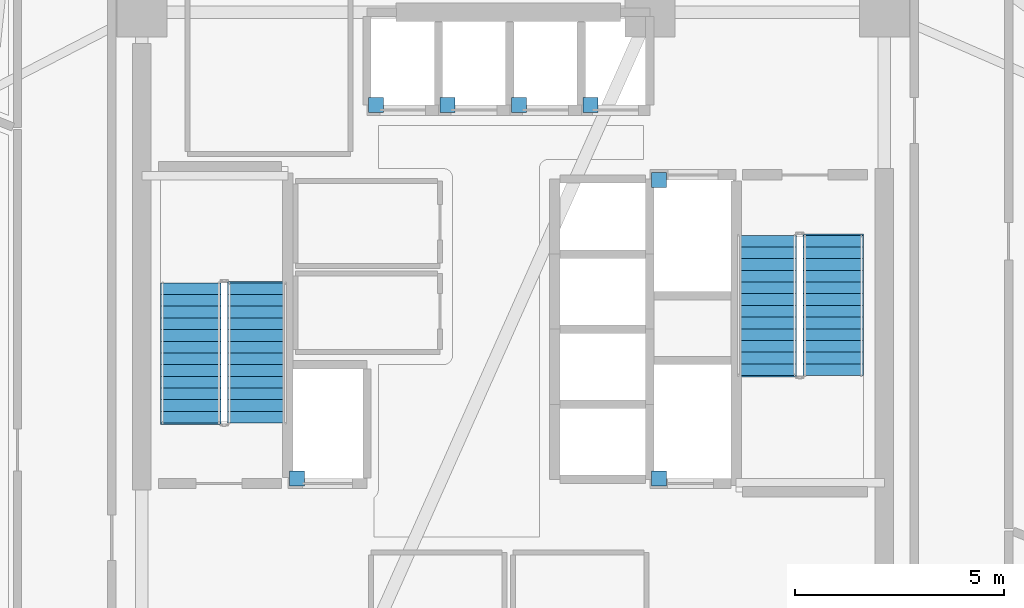
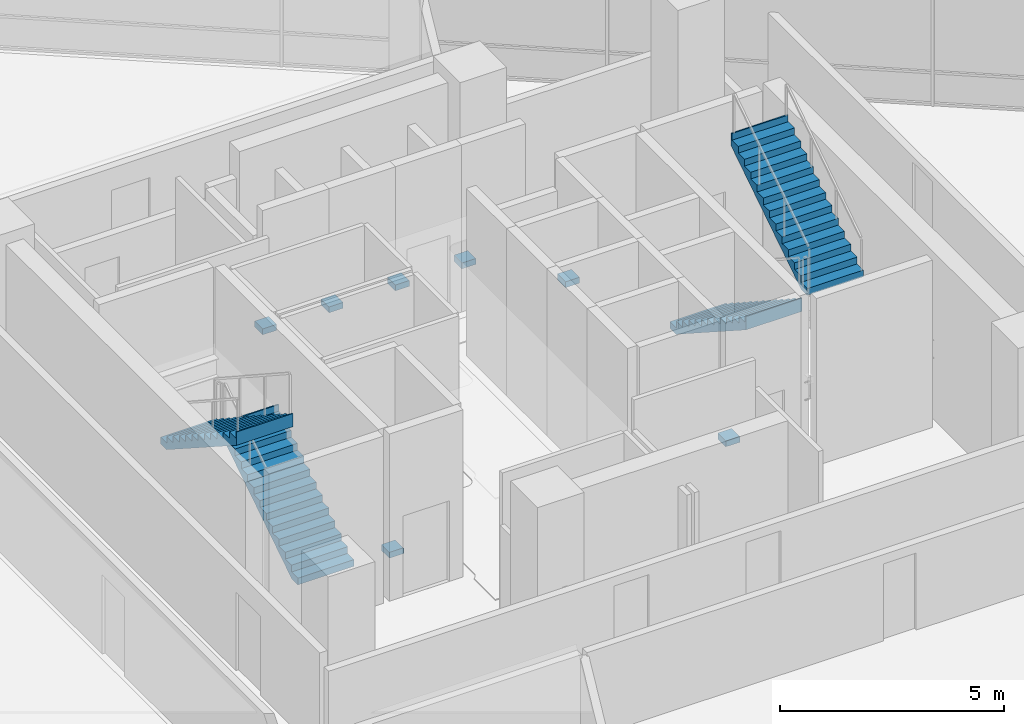
# One storey, part 13 of 18: 7 discrete accessories, 4 stair flights, 2 elements without a shape of their own.
"""IFC4 building model written with IfcOpenShell, lengths in metres."""

from ifc_helpers import new_model, si_unit, direction, frame, origin, origin_2d, place, context, subcontext, project, spatial, polyline, rectangle, outline, extrude, material, type_object, element, aggregate, save


model = new_model("IFC4")

# Units and contexts
model_context = context("Model", 3, precision=1e-05, world=origin(), true_north=direction((0.0, 1.0)))
body_context = subcontext(model_context, "Body", "Model", "MODEL_VIEW")
ifc_project = project(units=[si_unit("LENGTHUNIT", "METRE"), si_unit("AREAUNIT", "SQUARE_METRE"), si_unit("VOLUMEUNIT", "CUBIC_METRE"), si_unit("PLANEANGLEUNIT", "RADIAN"), si_unit("MASSUNIT", "GRAM", prefix="KILO")], contexts=[model_context])

# Site, building, storey
site_placement = place(None, origin())
site = spatial("IfcSite", under=ifc_project, at=site_placement, CompositionType="ELEMENT")
building_placement = place(site_placement, origin())
building = spatial("IfcBuilding", under=site, at=building_placement, Name="Tharavind Bronze Gate", CompositionType="ELEMENT")
storey_placement = place(building_placement, frame((0.0, 0.0, 134.050048828125)))
storey = spatial("IfcBuildingStorey", under=building, at=storey_placement, Name="L34", CompositionType="ELEMENT", Elevation=134.050048828125)

# Stair, stair flights
ifc_material_1 = material(Name="Concrete C40/50", Category="concrete")
stair_type = type_object("IfcStairType", Name="CORE HALF TURN STAIR 1450", PredefinedType="HALF_TURN_STAIR", material=ifc_material_1)
stair_1_placement = place(storey_placement, origin())
stair_1 = element("IfcStair", 1, at=stair_1_placement, inside=storey, type_object=stair_type, Name="L34 Protected Exit Stair ST1", PredefinedType="HALF_TURN_STAIR")
stair_flight_type = type_object("IfcStairFlightType", Name="CORE STAIR FLIGHT 1450", PredefinedType="STRAIGHT", material=ifc_material_1)
stair_flight_1_placement = place(storey_placement, frame((-6.125, -2.25, 0.0), z_axis=(0.0, 0.0, 1.0), x_axis=(0.0, 1.0, 0.0)))
stair_flight_1 = element("IfcStairFlight", 2, at=stair_flight_1_placement, type_object=stair_flight_type, Name="ST1 flight 1", NumberOfRisers=13, NumberOfTreads=12, PredefinedType="STRAIGHT", RiserHeight=0.182692308, TreadLength=0.28, context=body_context, shape_type="SweptSolid", body=[
    extrude(outline(polyline([(0.0, 0.0), (0.0, 0.1826171875), (0.280029296875, 0.1826171875), (0.280029296875, 0.365478515625), (0.56005859375, 0.365478515625), (0.56005859375, 0.548095703125), (0.840087890625, 0.548095703125), (0.840087890625, 0.730712890625), (1.1201171875, 0.730712890625), (1.1201171875, 0.91357421875), (1.39990234375, 0.91357421875), (1.39990234375, 1.09619140625), (1.679931640625, 1.09619140625), (1.679931640625, 1.27880859375), (1.9599609375, 1.27880859375), (1.9599609375, 1.46142578125), (2.239990234375, 1.46142578125), (2.239990234375, 1.644287109375), (2.52001953125, 1.644287109375), (2.52001953125, 1.826904296875), (2.800048828125, 1.826904296875), (2.800048828125, 2.009521484375), (3.080078125, 2.009521484375), (3.080078125, 2.1923828125), (3.360107421875, 2.1923828125), (3.360107421875, 2.375), (3.39599609375, 2.375), (3.39599609375, 2.013427734375), (0.2744140625, 0.0), (0.0, 0.0)])), frame((0.0, 0.72509765625, 0.0), z_axis=(0.0, -1.0, 0.0), x_axis=(1.0, 0.0, 0.0)), (0.0, 0.0, 1.0), 1.449951171875),
])
stair_flight_2_placement = place(storey_placement, frame((-7.72509765625, 1.110107421875, 2.375), z_axis=(0.0, 0.0, 1.0), x_axis=(0.0, -1.0, 0.0)))
stair_flight_2 = element("IfcStairFlight", 3, at=stair_flight_2_placement, type_object=stair_flight_type, Name="ST1 flight 2", NumberOfRisers=13, NumberOfTreads=12, PredefinedType="STRAIGHT", RiserHeight=0.182692308, TreadLength=0.28, context=body_context, shape_type="SweptSolid", body=[
    extrude(outline(polyline([(0.0, 0.0), (0.0, 0.1826171875), (0.280029296875, 0.1826171875), (0.280029296875, 0.365478515625), (0.56005859375, 0.365478515625), (0.56005859375, 0.548095703125), (0.840087890625, 0.548095703125), (0.840087890625, 0.730712890625), (1.1201171875, 0.730712890625), (1.1201171875, 0.91357421875), (1.39990234375, 0.91357421875), (1.39990234375, 1.09619140625), (1.679931640625, 1.09619140625), (1.679931640625, 1.27880859375), (1.9599609375, 1.27880859375), (1.9599609375, 1.46142578125), (2.239990234375, 1.46142578125), (2.239990234375, 1.644287109375), (2.52001953125, 1.644287109375), (2.52001953125, 1.826904296875), (2.800048828125, 1.826904296875), (2.800048828125, 2.009521484375), (3.080078125, 2.009521484375), (3.080078125, 2.1923828125), (3.360107421875, 2.1923828125), (3.360107421875, 2.375), (3.39599609375, 2.375), (3.39599609375, 2.013427734375), (0.2744140625, 0.0), (0.0, 0.0)])), frame((0.0, 0.72509765625, 0.0), z_axis=(0.0, -1.0, 0.0), x_axis=(1.0, 0.0, 0.0)), (0.0, 0.0, 1.0), 1.449951171875),
])
aggregate(stair_1, [stair_flight_1, stair_flight_2])

stair_2_placement = place(storey_placement, origin())
stair_2 = element("IfcStair", 4, at=stair_2_placement, inside=storey, type_object=stair_type, Name="L34 Protected Exit Stair ST2", PredefinedType="HALF_TURN_STAIR")
stair_flight_3_placement = place(storey_placement, frame((6.074951171875, 2.25, 0.0), z_axis=(0.0, 0.0, 1.0), x_axis=(0.0, -1.0, 0.0)))
stair_flight_3 = element("IfcStairFlight", 5, at=stair_flight_3_placement, type_object=stair_flight_type, Name="ST2 flight 1", NumberOfRisers=13, NumberOfTreads=12, PredefinedType="STRAIGHT", RiserHeight=0.182692308, TreadLength=0.28, context=body_context, shape_type="SweptSolid", body=[
    extrude(outline(polyline([(0.0, 0.0), (0.0, 0.1826171875), (0.280029296875, 0.1826171875), (0.280029296875, 0.365478515625), (0.56005859375, 0.365478515625), (0.56005859375, 0.548095703125), (0.840087890625, 0.548095703125), (0.840087890625, 0.730712890625), (1.1201171875, 0.730712890625), (1.1201171875, 0.91357421875), (1.39990234375, 0.91357421875), (1.39990234375, 1.09619140625), (1.679931640625, 1.09619140625), (1.679931640625, 1.27880859375), (1.9599609375, 1.27880859375), (1.9599609375, 1.46142578125), (2.239990234375, 1.46142578125), (2.239990234375, 1.644287109375), (2.52001953125, 1.644287109375), (2.52001953125, 1.826904296875), (2.800048828125, 1.826904296875), (2.800048828125, 2.009521484375), (3.080078125, 2.009521484375), (3.080078125, 2.1923828125), (3.360107421875, 2.1923828125), (3.360107421875, 2.375), (3.39599609375, 2.375), (3.39599609375, 2.013427734375), (0.2744140625, 0.0), (0.0, 0.0)])), frame((0.0, 0.72509765625, 0.0), z_axis=(0.0, -1.0, 0.0), x_axis=(1.0, 0.0, 0.0)), (0.0, 0.0, 1.0), 1.449951171875),
])
stair_flight_4_placement = place(storey_placement, frame((7.675048828125, -1.110107421875, 2.375), z_axis=(0.0, 0.0, 1.0), x_axis=(0.0, 1.0, 0.0)))
stair_flight_4 = element("IfcStairFlight", 6, at=stair_flight_4_placement, type_object=stair_flight_type, Name="ST2 flight 2", NumberOfRisers=13, NumberOfTreads=12, PredefinedType="STRAIGHT", RiserHeight=0.182692308, TreadLength=0.28, context=body_context, shape_type="SweptSolid", body=[
    extrude(outline(polyline([(0.0, 0.0), (0.0, 0.1826171875), (0.280029296875, 0.1826171875), (0.280029296875, 0.365478515625), (0.56005859375, 0.365478515625), (0.56005859375, 0.548095703125), (0.840087890625, 0.548095703125), (0.840087890625, 0.730712890625), (1.1201171875, 0.730712890625), (1.1201171875, 0.91357421875), (1.39990234375, 0.91357421875), (1.39990234375, 1.09619140625), (1.679931640625, 1.09619140625), (1.679931640625, 1.27880859375), (1.9599609375, 1.27880859375), (1.9599609375, 1.46142578125), (2.239990234375, 1.46142578125), (2.239990234375, 1.644287109375), (2.52001953125, 1.644287109375), (2.52001953125, 1.826904296875), (2.800048828125, 1.826904296875), (2.800048828125, 2.009521484375), (3.080078125, 2.009521484375), (3.080078125, 2.1923828125), (3.360107421875, 2.1923828125), (3.360107421875, 2.375), (3.39599609375, 2.375), (3.39599609375, 2.013427734375), (0.2744140625, 0.0), (0.0, 0.0)])), frame((0.0, 0.72509765625, 0.0), z_axis=(0.0, -1.0, 0.0), x_axis=(1.0, 0.0, 0.0)), (0.0, 0.0, 1.0), 1.449951171875),
])
aggregate(stair_2, [stair_flight_3, stair_flight_4])

# Discrete accessories
ifc_material_2 = material(Name="Galvanised Steel S355", Category="steel")
discrete_accessory_type = type_object("IfcDiscreteAccessoryType", Name="LIFT GUIDE RAIL BRACKET", PredefinedType="BRACKET", material=ifc_material_2)
for number, where, z_axis, x_axis, name in (
    (7, (-3.280029296875, 5.3701171875, 1.1201171875), (0.0, 0.0, 1.0), (1.0, 0.0, 0.0), "Lift PL5 guide rail bracket at L34"),
    (8, (-1.5673828125, 5.3701171875, 1.1201171875), (0.0, 0.0, 1.0), (1.0, 0.0, 0.0), "Lift PL6 guide rail bracket at L34"),
    (9, (0.14501953125, 5.3701171875, 1.1201171875), (0.0, 0.0, 1.0), (1.0, 0.0, 0.0), "Lift PL7 guide rail bracket at L34"),
    (10, (1.857421875, 5.3701171875, 1.1201171875), (0.0, 0.0, 1.0), (1.0, 0.0, 0.0), "Lift PL8 guide rail bracket at L34"),
    (11, (-5.179931640625, -3.580078125, 1.1201171875), (0.0, 0.0, 1.0), (1.0, 0.0, 0.0), "Lift FFL1 guide rail bracket at L34"),
    (12, (3.5, 3.580078125, 1.1201171875), (0.0, 0.0, 1.0), (1.0, 0.0, 0.0), "Lift FFL2 guide rail bracket at L34"),
    (13, (3.5, -3.580078125, 1.1201171875), (0.0, 0.0, 1.0), (1.0, 0.0, 0.0), "Lift SVL1 guide rail bracket at L34"),
):
    element("IfcDiscreteAccessory", number, at=place(storey_placement, frame(where, z_axis=z_axis, x_axis=x_axis)), inside=storey, type_object=discrete_accessory_type, Name=name, PredefinedType="BRACKET", context=body_context, shape_type="SweptSolid", body=[
        extrude(rectangle(XDim=0.360107421875, YDim=0.360107421875, at=origin_2d()), origin(), (0.0, 0.0, 1.0), 0.159912109375),
    ])

save(model, "model.ifc")
